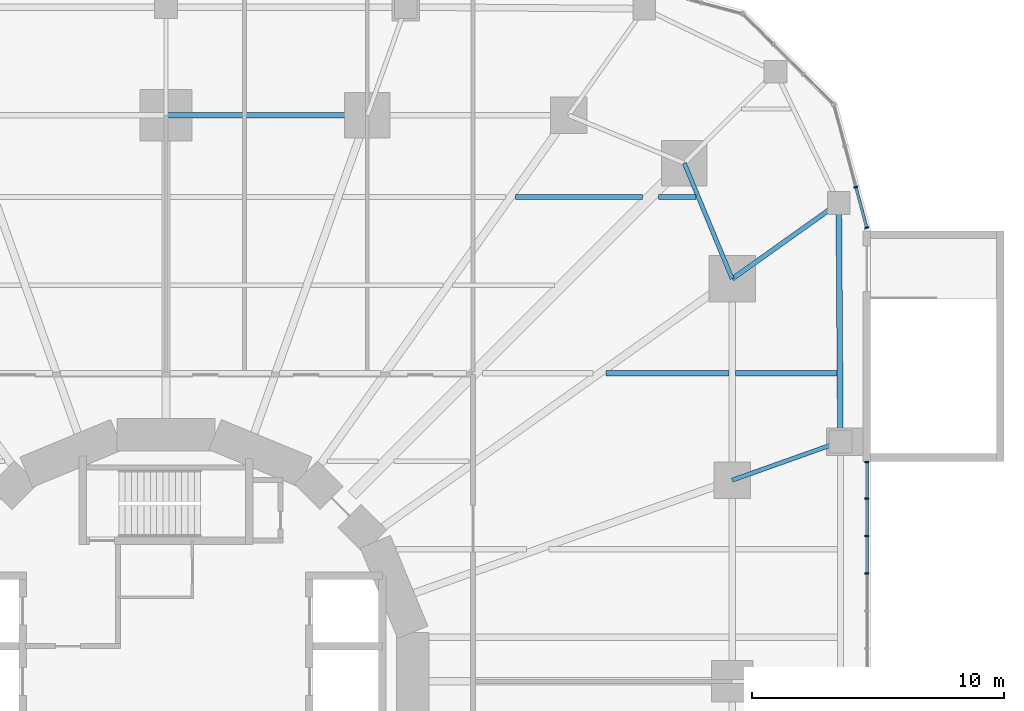
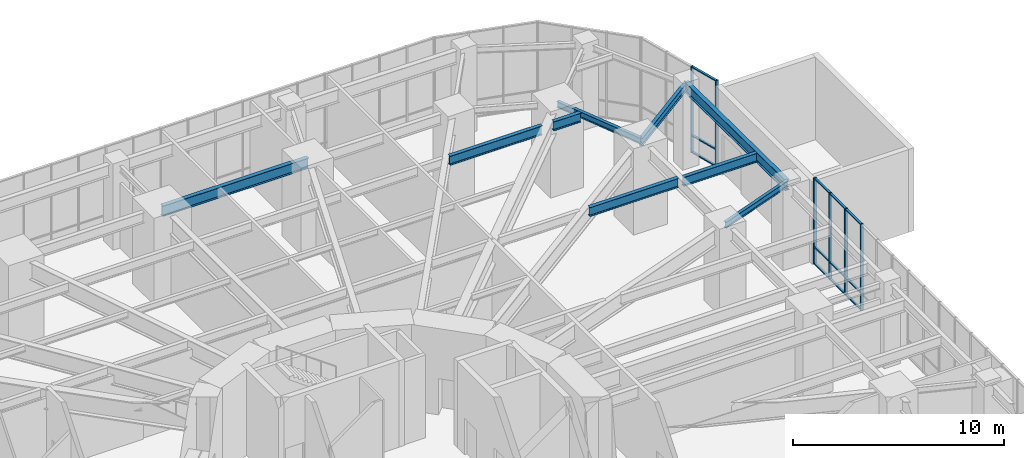
# One storey, part 14 of 24: 18 members, 9 beams, 2 elements without a shape of their own.
"""IFC4 building model written with IfcOpenShell, lengths in metres."""

import ifcopenshell
import ifcopenshell.guid

model = None  # the IFC model being written
_history = None  # IfcOwnerHistory: only IFC2X3 demands one
_inside = {}  # id of a spatial element -> (the spatial element, [elements in it])
_under = {}  # id of a project, library or spatial element -> (it, [spatial elements below it])
_declared = {}  # id of a project -> (the project, [libraries it declares])
_typed = {}  # id of a type object -> (the type object, [elements of that type])
_made_of = {}  # id of a material, layer set ... -> (it, [elements and type objects made of it])


def new_model(schema):
    """Start an empty IFC model of exactly this schema.

    Asked for "IFC4X3", IfcOpenShell would pick the latest addendum, in which some entities
    have other attributes; the version numbers below select the first issue.
    IFC2X3 requires an IfcOwnerHistory on every rooted entity: one is made here for all.
    """
    global model, _history
    if schema == "IFC4X3":
        model = ifcopenshell.file(schema_version=(4, 3, 0, 0))
    else:
        model = ifcopenshell.file(schema=schema)
    _inside.clear()
    _under.clear()
    _declared.clear()
    _typed.clear()
    _made_of.clear()
    _history = None
    if model.schema == "IFC2X3":
        org = make("IfcOrganization", Name="unknown")
        user = make(
            "IfcPersonAndOrganization",
            ThePerson=make("IfcPerson", FamilyName="unknown"),
            TheOrganization=org,
        )
        app = make(
            "IfcApplication",
            ApplicationDeveloper=org,
            Version="unknown",
            ApplicationFullName="unknown",
            ApplicationIdentifier="unknown",
        )
        _history = make(
            "IfcOwnerHistory",
            OwningUser=user,
            OwningApplication=app,
            ChangeAction="ADDED",
            CreationDate=0,
        )
    return model


def make(cls, **values):
    """One entity of the class cls with the attributes given. An attribute that is None is left unset."""
    return model.create_entity(
        cls, **{name: value for name, value in values.items() if value is not None}
    )


def rooted(cls, **values):
    """An entity with a GlobalId (a new one), such as an element, a storey or a relation."""
    return make(cls, GlobalId=ifcopenshell.guid.new(), OwnerHistory=_history, **values)


def si_unit(unit_type, name, prefix=None):
    """IfcSIUnit, for example si_unit("LENGTHUNIT", "METRE", prefix="MILLI")."""
    return make("IfcSIUnit", UnitType=unit_type, Prefix=prefix, Name=name)


def assignment(units):
    """IfcUnitAssignment: the units of a project."""
    return None if units is None else make("IfcUnitAssignment", Units=units)


def point(xyz):
    """IfcCartesianPoint."""
    return None if xyz is None else make("IfcCartesianPoint", Coordinates=xyz)


def direction(xyz):
    """IfcDirection."""
    return None if xyz is None else make("IfcDirection", DirectionRatios=xyz)


def frame(location, z_axis=None, x_axis=None):
    """IfcAxis2Placement3D, a coordinate frame: its origin and axes. An axis left out is left unset."""
    return make(
        "IfcAxis2Placement3D",
        Location=point(location),
        Axis=direction(z_axis),
        RefDirection=direction(x_axis),
    )


def frame_2d(location, x_axis=None):
    """IfcAxis2Placement2D, a coordinate frame in the plane: its origin and x axis."""
    return make(
        "IfcAxis2Placement2D", Location=point(location), RefDirection=direction(x_axis)
    )


def origin():
    """The frame at (0, 0, 0) with its axes left unset."""
    return frame((0.0, 0.0, 0.0))


def origin_2d():
    """The frame at (0, 0) in the plane with its x axis left unset."""
    return frame_2d((0.0, 0.0))


def place(relative_to, where):
    """IfcLocalPlacement: puts the frame where relative to a parent placement (None: the world)."""
    return make(
        "IfcLocalPlacement", PlacementRelTo=relative_to, RelativePlacement=where
    )


def context(
    kind, dimensions, precision=None, world=None, true_north=None, identifier=None
):
    """IfcGeometricRepresentationContext, for example the 3D "Model" context."""
    return make(
        "IfcGeometricRepresentationContext",
        ContextIdentifier=identifier,
        ContextType=kind,
        CoordinateSpaceDimension=dimensions,
        Precision=precision,
        WorldCoordinateSystem=world,
        TrueNorth=true_north,
    )


def subcontext(parent, identifier, kind, view, scale=None):
    """IfcGeometricRepresentationSubContext, for example "Body" below "Model"."""
    return make(
        "IfcGeometricRepresentationSubContext",
        ContextIdentifier=identifier,
        ContextType=kind,
        ParentContext=parent,
        TargetScale=scale,
        TargetView=view,
    )


def project(units=None, contexts=None):
    """IfcProject with its units and contexts."""
    return rooted(
        "IfcProject",
        Name="project",
        RepresentationContexts=contexts,
        UnitsInContext=assignment(units),
    )


def spatial(cls, under=None, at=None, **own):
    """A site, building, storey or space (cls), placed at a placement, below another one or the project."""
    s = rooted(cls, ObjectPlacement=at, **own)
    if under is not None:
        _under.setdefault(under.id(), (under, []))[1].append(s)
    return s


def profile(cls, at=None, kind="AREA", **sizes):
    """A parametric profile (cls). Its sizes go by their IFC names, for example OverallWidth=200.0."""
    return make(cls, ProfileType=kind, Position=at, **sizes)


def rectangle(**sizes):
    """IfcRectangleProfileDef."""
    return profile("IfcRectangleProfileDef", **sizes)


def i_section(**sizes):
    """IfcIShapeProfileDef."""
    return profile("IfcIShapeProfileDef", **sizes)


def extrude(swept, where, along, depth):
    """IfcExtrudedAreaSolid: the profile swept, set in the frame where, extruded along a direction by depth."""
    return make(
        "IfcExtrudedAreaSolid",
        SweptArea=swept,
        Position=where,
        ExtrudedDirection=direction(along),
        Depth=depth,
    )


def shape(context_of_items, identifier, shape_type, items):
    """IfcShapeRepresentation: the items that make up one representation, for example the "Body"."""
    return make(
        "IfcShapeRepresentation",
        ContextOfItems=context_of_items,
        RepresentationIdentifier=identifier,
        RepresentationType=shape_type,
        Items=items,
    )


def material(Name=None, Category=None):
    """IfcMaterial."""
    return make("IfcMaterial", Name=Name, Category=Category)


def material_profile(
    of_material, cross_section, Name=None, Category=None, Priority=None
):
    """IfcMaterialProfile: a cross section and its material."""
    return make(
        "IfcMaterialProfile",
        Name=Name,
        Material=of_material,
        Profile=cross_section,
        Priority=Priority,
        Category=Category,
    )


def profile_set(profiles, Name=None, composite=None):
    """IfcMaterialProfileSet."""
    return make(
        "IfcMaterialProfileSet",
        Name=Name,
        MaterialProfiles=profiles,
        CompositeProfile=composite,
    )


def made_of(thing, what):
    """Note that an element or type object is made of a material, layer set ...; save() writes the relation."""
    if what is not None:
        _made_of.setdefault(what.id(), (what, []))[1].append(thing)
    return thing


def type_object(cls, material=None, **own):
    """A type object (cls), such as IfcWallType, which elements share."""
    return made_of(rooted(cls, **own), material)


def element(
    cls,
    number,
    at=None,
    inside=None,
    cuts=None,
    type_object=None,
    material=None,
    context=None,
    identifier="Body",
    shape_type=None,
    held_by="IfcProductDefinitionShape",
    body=None,
    shapes=None,
    **own,
):
    """One element of the class cls, such as IfcWall. Its Tag is "e" and its number.

    at: its placement. inside: the storey or other place that contains it. cuts: it is an
    opening in that element (IfcRelVoidsElement). A single representation is given by context,
    identifier, shape_type and body (its items); several are given by shapes. held_by: the class
    of the entity that holds the representations. save() writes the other relations.
    """
    e = rooted(cls, Tag="e%d" % number, ObjectPlacement=at, **own)
    if body is not None:
        shapes = [shape(context, identifier, shape_type, body)]
    if shapes is not None:
        e.Representation = make(held_by, Representations=shapes)
    if inside is not None:
        _inside.setdefault(inside.id(), (inside, []))[1].append(e)
    if cuts is not None:
        rooted(
            "IfcRelVoidsElement", RelatingBuildingElement=cuts, RelatedOpeningElement=e
        )
    if type_object is not None:
        _typed.setdefault(type_object.id(), (type_object, []))[1].append(e)
    return made_of(e, material)


def aggregate(whole, parts):
    """IfcRelAggregates: a whole, such as a stair, and the parts it consists of."""
    return rooted("IfcRelAggregates", RelatingObject=whole, RelatedObjects=parts)


def save(model, path):
    """Write the relations noted so far, then the file.

    IfcRelAggregates (storeys below a building ...), IfcRelContainedInSpatialStructure (elements
    in a storey), IfcRelDefinesByType, IfcRelAssociatesMaterial and IfcRelDeclares: one each for
    every whole, place, type object, material and project.
    """
    for whole, parts in _under.values():
        aggregate(whole, parts)
    for where, things in _inside.values():
        rooted(
            "IfcRelContainedInSpatialStructure",
            RelatedElements=things,
            RelatingStructure=where,
        )
    for kind, things in _typed.values():
        rooted("IfcRelDefinesByType", RelatedObjects=things, RelatingType=kind)
    for what, things in _made_of.values():
        rooted("IfcRelAssociatesMaterial", RelatedObjects=things, RelatingMaterial=what)
    for by, libraries in _declared.values():
        rooted("IfcRelDeclares", RelatingContext=by, RelatedDefinitions=libraries)
    model.write(path)


model = new_model("IFC4")

# Units and contexts
model_context = context("Model", 3, precision=1e-05, world=origin(), true_north=direction((0.0, 1.0)))
body_context = subcontext(model_context, "Body", "Model", "MODEL_VIEW")
ifc_project = project(units=[si_unit("LENGTHUNIT", "METRE"), si_unit("AREAUNIT", "SQUARE_METRE"), si_unit("VOLUMEUNIT", "CUBIC_METRE"), si_unit("PLANEANGLEUNIT", "RADIAN"), si_unit("MASSUNIT", "GRAM", prefix="KILO")], contexts=[model_context])

# Site, building, storey
site_placement = place(None, origin())
site = spatial("IfcSite", under=ifc_project, at=site_placement, CompositionType="ELEMENT")
building_placement = place(site_placement, origin())
building = spatial("IfcBuilding", under=site, at=building_placement, Name="Nakasero Lantern House", CompositionType="ELEMENT")
storey_placement = place(building_placement, frame((0.0, 0.0, 11.0)))
storey = spatial("IfcBuildingStorey", under=building, at=storey_placement, Name="L02", CompositionType="ELEMENT", Elevation=11.0)

# Beams
ifc_material_1 = material(Name="Steel S355", Category="steel")
ifc_material_profile_1 = material_profile(ifc_material_1, i_section(OverallWidth=0.2099609375, OverallDepth=0.53662109375, WebThickness=0.0107421875, FlangeThickness=0.017333984375, FilletRadius=0.0126953125, at=origin_2d()), Name="UB 533x210x101")
ifc_profile_set_1 = profile_set([ifc_material_profile_1], Name="Steel S355")
beam_type_1 = type_object("IfcBeamType", Name="Infill beam UB 533x210x101", PredefinedType="JOIST", material=ifc_profile_set_1)
beam_1_placement = place(storey_placement, frame((13.878173828125, 19.25, 4.53173828125), z_axis=(1.0, 0.0, 0.0), x_axis=(0.0, 1.0, 0.0)))
element("IfcBeam", 1, at=beam_1_placement, inside=storey, type_object=beam_type_1, Name="Infill beam L03 14.7", PredefinedType="JOIST", context=body_context, shape_type="SweptSolid", body=[
    extrude(i_section(OverallWidth=0.2099609375, OverallDepth=0.53662109375, WebThickness=0.0107421875, FlangeThickness=0.017333984375, FilletRadius=0.0126953125, at=origin_2d()), origin(), (0.0, 0.0, 1.0), 5.0537109375),
])
beam_2_placement = place(storey_placement, frame((19.568115234375, 19.25, 4.53173828125), z_axis=(1.0, 0.0, 0.0), x_axis=(0.0, 1.0, 0.0)))
element("IfcBeam", 2, at=beam_2_placement, inside=storey, type_object=beam_type_1, Name="Infill beam L03 14.8", PredefinedType="JOIST", context=body_context, shape_type="SweptSolid", body=[
    extrude(i_section(OverallWidth=0.2099609375, OverallDepth=0.53662109375, WebThickness=0.0107421875, FlangeThickness=0.017333984375, FilletRadius=0.0126953125, at=origin_2d()), origin(), (0.0, 0.0, 1.0), 1.492919921875),
])
ifc_material_2 = material(Name="Steel S355", Category="steel")
ifc_material_profile_2 = material_profile(ifc_material_2, i_section(OverallWidth=0.208740234375, OverallDepth=0.5283203125, WebThickness=0.009521484375, FlangeThickness=0.01318359375, FilletRadius=0.0126953125, at=origin_2d()), Name="UB 533x210x82")
ifc_profile_set_2 = profile_set([ifc_material_profile_2], Name="Steel S355")
beam_type_2 = type_object("IfcBeamType", Name="Infill beam UB 533x210x82", PredefinedType="JOIST", material=ifc_profile_set_2)
beam_3_placement = place(storey_placement, frame((17.49267578125, 12.25, 4.535888671875), z_axis=(1.0, 0.0, 0.0), x_axis=(0.0, 1.0, 0.0)))
element("IfcBeam", 3, at=beam_3_placement, inside=storey, type_object=beam_type_2, Name="Infill beam L03 12.11", PredefinedType="JOIST", context=body_context, shape_type="SweptSolid", body=[
    extrude(i_section(OverallWidth=0.208740234375, OverallDepth=0.5283203125, WebThickness=0.009521484375, FlangeThickness=0.01318359375, FilletRadius=0.0126953125, at=origin_2d()), origin(), (0.0, 0.0, 1.0), 4.8740234375),
])
beam_4_placement = place(storey_placement, frame((22.63330078125, 12.25, 4.48583984375), z_axis=(1.0, 0.0, 0.0), x_axis=(0.0, 1.0, 0.0)))
element("IfcBeam", 4, at=beam_4_placement, inside=storey, type_object=beam_type_2, Name="Infill beam L03 12.12", PredefinedType="JOIST", context=body_context, shape_type="SweptSolid", body=[
    extrude(i_section(OverallWidth=0.208740234375, OverallDepth=0.5283203125, WebThickness=0.009521484375, FlangeThickness=0.01318359375, FilletRadius=0.0126953125, at=origin_2d()), origin(), (0.0, 0.0, 1.0), 4.033203125),
])

# Curtain wall, members
ifc_material_3 = material(Name="Aluminium 6063-T6 and glass", Category="aluminium")
curtain_wall_type = type_object("IfcCurtainWallType", Name="Podium curtain wall CW-2", PredefinedType="USERDEFINED", material=ifc_material_3)
curtain_wall_1_placement = place(storey_placement, origin())
curtain_wall_1 = element("IfcCurtainWall", 5, at=curtain_wall_1_placement, inside=storey, type_object=curtain_wall_type, Name="Curtain wall CW-2 L02", ObjectType="STICK CURTAIN WALL", PredefinedType="USERDEFINED")
ifc_material_4 = material(Name="Aluminium 6063-T6", Category="aluminium")
ifc_material_profile_3 = material_profile(ifc_material_4, rectangle(XDim=0.06005859375, YDim=0.159912109375, at=origin_2d()), Name="CW-2 mullion 60x160")
ifc_profile_set_3 = profile_set([ifc_material_profile_3], Name="Aluminium 6063-T6")
member_type_1 = type_object("IfcMemberType", Name="Mullion CW-2", PredefinedType="MULLION", material=ifc_profile_set_3)
member_1_placement = place(storey_placement, frame((27.85009765625, 4.291748046875, 0.0), z_axis=(0.0, 0.0, 1.0), x_axis=(0.0, 1.0, 0.0)))
member_1 = element("IfcMember", 6, at=member_1_placement, type_object=member_type_1, Name="CW-2 mullion 16", PredefinedType="MULLION", context=body_context, shape_type="SweptSolid", body=[
    extrude(rectangle(XDim=0.06005859375, YDim=0.159912109375, at=origin_2d()), origin(), (0.0, 0.0, 1.0), 5.0),
])
member_2_placement = place(storey_placement, frame((27.85009765625, 5.77783203125, 0.0), z_axis=(0.0, 0.0, 1.0), x_axis=(0.0, 1.0, 0.0)))
member_2 = element("IfcMember", 7, at=member_2_placement, type_object=member_type_1, Name="CW-2 mullion 17", PredefinedType="MULLION", context=body_context, shape_type="SweptSolid", body=[
    extrude(rectangle(XDim=0.06005859375, YDim=0.159912109375, at=origin_2d()), origin(), (0.0, 0.0, 1.0), 5.0),
])
member_3_placement = place(storey_placement, frame((27.85009765625, 7.263916015625, 0.0), z_axis=(0.0, 0.0, 1.0), x_axis=(0.0, 1.0, 0.0)))
member_3 = element("IfcMember", 8, at=member_3_placement, type_object=member_type_1, Name="CW-2 mullion 18", PredefinedType="MULLION", context=body_context, shape_type="SweptSolid", body=[
    extrude(rectangle(XDim=0.06005859375, YDim=0.159912109375, at=origin_2d()), origin(), (0.0, 0.0, 1.0), 5.0),
])
member_4_placement = place(storey_placement, frame((27.85009765625, 8.719970703125, 0.0), z_axis=(0.0, 0.0, 1.0), x_axis=(0.0, 1.0, 0.0)))
member_4 = element("IfcMember", 9, at=member_4_placement, type_object=member_type_1, Name="CW-2 mullion 19", PredefinedType="MULLION", context=body_context, shape_type="SweptSolid", body=[
    extrude(rectangle(XDim=0.06005859375, YDim=0.159912109375, at=origin_2d()), origin(), (0.0, 0.0, 1.0), 5.0),
])

curtain_wall_2_placement = place(storey_placement, origin())
curtain_wall_2 = element("IfcCurtainWall", 10, at=curtain_wall_2_placement, inside=storey, type_object=curtain_wall_type, Name="Curtain wall CW-2 L02", ObjectType="STICK CURTAIN WALL", PredefinedType="USERDEFINED")
member_5_placement = place(storey_placement, frame((27.84228515625, 18.029052734375, 0.0), z_axis=(0.0, 0.0, 1.0), x_axis=(-0.258819045103, 0.965925826289, 0.0)))
member_5 = element("IfcMember", 11, at=member_5_placement, type_object=member_type_1, Name="CW-2 mullion 1", PredefinedType="MULLION", context=body_context, shape_type="SweptSolid", body=[
    extrude(rectangle(XDim=0.06005859375, YDim=0.159912109375, at=origin_2d()), origin(), (0.0, 0.0, 1.0), 5.0),
])
member_6_placement = place(storey_placement, frame((27.41015625, 19.6416015625, 0.0), z_axis=(0.0, 0.0, 1.0), x_axis=(-0.258819045103, 0.965925826289, 0.0)))
member_6 = element("IfcMember", 12, at=member_6_placement, type_object=member_type_1, Name="CW-2 mullion 2", PredefinedType="MULLION", context=body_context, shape_type="SweptSolid", body=[
    extrude(rectangle(XDim=0.06005859375, YDim=0.159912109375, at=origin_2d()), origin(), (0.0, 0.0, 1.0), 5.0),
])

# Beams
ifc_material_5 = material(Name="Steel S355", Category="steel")
ifc_material_profile_4 = material_profile(ifc_material_5, i_section(OverallWidth=0.17138671875, OverallDepth=0.35498046875, WebThickness=0.00732421875, FlangeThickness=0.011474609375, FilletRadius=0.01025390625, at=origin_2d()), Name="UB 356x171x51")
ifc_profile_set_4 = profile_set([ifc_material_profile_4], Name="Steel S355")
beam_type_3 = type_object("IfcBeamType", Name="Primary beam UB 356x171x51, span to 6 m", PredefinedType="BEAM", material=ifc_profile_set_4)
beam_5_placement = place(storey_placement, frame((26.800048828125, 9.52880859375, 4.572509765625), z_axis=(-0.942221444489, -0.334990670833, 0.0), x_axis=(0.334990670833, -0.942221444489, 0.0)))
element("IfcBeam", 13, at=beam_5_placement, inside=storey, type_object=beam_type_3, Name="Primary beam L03 POD-C04", PredefinedType="BEAM", context=body_context, shape_type="SweptSolid", body=[
    extrude(i_section(OverallWidth=0.17138671875, OverallDepth=0.35498046875, WebThickness=0.00732421875, FlangeThickness=0.011474609375, FilletRadius=0.01025390625, at=origin_2d()), origin(), (0.0, 0.0, 1.0), 4.563720703125),
])
ifc_material_6 = material(Name="Steel S355", Category="steel")
ifc_material_profile_5 = material_profile(ifc_material_6, i_section(OverallWidth=0.18994140625, OverallDepth=0.453369140625, WebThickness=0.008544921875, FlangeThickness=0.0126953125, FilletRadius=0.01025390625, at=origin_2d()), Name="UB 457x191x67")
ifc_profile_set_5 = profile_set([ifc_material_profile_5], Name="Steel S355")
beam_type_4 = type_object("IfcBeamType", Name="Primary beam UB 457x191x67, span to 6 m", PredefinedType="BEAM", material=ifc_profile_set_5)
beam_6_placement = place(storey_placement, frame((26.733642578125, 19.0107421875, 4.523193359375), z_axis=(-0.814941514044, -0.57954320692, 0.0), x_axis=(0.57954320692, -0.814941514044, 0.0)))
element("IfcBeam", 14, at=beam_6_placement, inside=storey, type_object=beam_type_4, Name="Primary beam L03 POD-C05", PredefinedType="BEAM", context=body_context, shape_type="SweptSolid", body=[
    extrude(i_section(OverallWidth=0.18994140625, OverallDepth=0.453369140625, WebThickness=0.008544921875, FlangeThickness=0.0126953125, FilletRadius=0.01025390625, at=origin_2d()), origin(), (0.0, 0.0, 1.0), 5.195068359375),
])
ifc_material_7 = material(Name="Steel S355", Category="steel")
ifc_material_profile_6 = material_profile(ifc_material_7, i_section(OverallWidth=0.17138671875, OverallDepth=0.35498046875, WebThickness=0.00732421875, FlangeThickness=0.011474609375, FilletRadius=0.01025390625, at=origin_2d()), Name="UB 356x171x51")
ifc_profile_set_6 = profile_set([ifc_material_profile_6], Name="Steel S355")
beam_type_5 = type_object("IfcBeamType", Name="Ring beam UB 356x171x51", PredefinedType="BEAM", material=ifc_profile_set_6)
beam_7_placement = place(storey_placement, frame((22.5, 16.0, 4.62255859375), z_axis=(-0.382684080569, 0.923879264016, 0.0), x_axis=(-0.923879264016, -0.382684080569, 0.0)))
element("IfcBeam", 15, at=beam_7_placement, inside=storey, type_object=beam_type_5, Name="Ring beam L03 B1-C05", PredefinedType="BEAM", context=body_context, shape_type="SweptSolid", body=[
    extrude(i_section(OverallWidth=0.17138671875, OverallDepth=0.35498046875, WebThickness=0.00732421875, FlangeThickness=0.011474609375, FilletRadius=0.01025390625, at=origin_2d()), origin(), (0.0, 0.0, 1.0), 4.974853515625),
])
ifc_material_8 = material(Name="Steel S355", Category="steel")
ifc_material_profile_7 = material_profile(ifc_material_8, i_section(OverallWidth=0.22900390625, OverallDepth=0.6123046875, WebThickness=0.011962890625, FlangeThickness=0.01953125, FilletRadius=0.0126953125, at=origin_2d()), Name="UB 610x229x125")
ifc_profile_set_7 = profile_set([ifc_material_profile_7], Name="Steel S355")
beam_type_6 = type_object("IfcBeamType", Name="Ring beam UB 610x229x125", PredefinedType="BEAM", material=ifc_profile_set_7)
beam_8_placement = place(storey_placement, frame((8.0, 22.5, 4.493896484375), z_axis=(-1.0, 0.0, 0.0), x_axis=(0.0, -1.0, 0.0)))
element("IfcBeam", 16, at=beam_8_placement, inside=storey, type_object=beam_type_6, Name="Ring beam L03 B1-C08", PredefinedType="BEAM", context=body_context, shape_type="SweptSolid", body=[
    extrude(i_section(OverallWidth=0.22900390625, OverallDepth=0.6123046875, WebThickness=0.011962890625, FlangeThickness=0.01953125, FilletRadius=0.0126953125, at=origin_2d()), origin(), (0.0, 0.0, 1.0), 8.0),
])
beam_9_placement = place(storey_placement, frame((26.800048828125, 9.52880859375, 4.44384765625), z_axis=(-0.007003278482, 0.999975476745, 0.0), x_axis=(-0.999975476745, -0.007003278482, 0.0)))
element("IfcBeam", 17, at=beam_9_placement, inside=storey, type_object=beam_type_6, Name="Ring beam L03 POD-C04", PredefinedType="BEAM", context=body_context, shape_type="SweptSolid", body=[
    extrude(i_section(OverallWidth=0.22900390625, OverallDepth=0.6123046875, WebThickness=0.011962890625, FlangeThickness=0.01953125, FilletRadius=0.0126953125, at=origin_2d()), origin(), (0.0, 0.0, 1.0), 9.482177734375),
])

# Member
ifc_material_9 = material(Name="Aluminium 6063-T6", Category="aluminium")
ifc_material_profile_8 = material_profile(ifc_material_9, rectangle(XDim=0.06005859375, YDim=0.1201171875, at=origin_2d()), Name="CW-2 transom 60x120")
ifc_profile_set_8 = profile_set([ifc_material_profile_8], Name="Aluminium 6063-T6")
member_type_2 = type_object("IfcMemberType", Name="Transom CW-2", PredefinedType="USERDEFINED", material=ifc_profile_set_8)
member_7_placement = place(storey_placement, frame((27.85009765625, 4.32177734375, 0.030029296875), z_axis=(0.0, 1.0, 0.0), x_axis=(0.0, 0.0, 1.0)))
member_7 = element("IfcMember", 18, at=member_7_placement, type_object=member_type_2, Name="CW-2 transom 16.1", ObjectType="TRANSOM", PredefinedType="USERDEFINED", context=body_context, shape_type="SweptSolid", body=[
    extrude(rectangle(XDim=0.06005859375, YDim=0.1201171875, at=origin_2d()), origin(), (0.0, 0.0, 1.0), 1.426025390625),
])

member_8_placement = place(storey_placement, frame((27.85009765625, 4.32177734375, 1.0), z_axis=(0.0, 1.0, 0.0), x_axis=(0.0, 0.0, 1.0)))
member_8 = element("IfcMember", 19, at=member_8_placement, type_object=member_type_2, Name="CW-2 transom 16.2", ObjectType="TRANSOM", PredefinedType="USERDEFINED", context=body_context, shape_type="SweptSolid", body=[
    extrude(rectangle(XDim=0.06005859375, YDim=0.1201171875, at=origin_2d()), origin(), (0.0, 0.0, 1.0), 1.426025390625),
])

member_9_placement = place(storey_placement, frame((27.85009765625, 4.32177734375, 4.969970703125), z_axis=(0.0, 1.0, 0.0), x_axis=(0.0, 0.0, 1.0)))
member_9 = element("IfcMember", 20, at=member_9_placement, type_object=member_type_2, Name="CW-2 transom 16.3", ObjectType="TRANSOM", PredefinedType="USERDEFINED", context=body_context, shape_type="SweptSolid", body=[
    extrude(rectangle(XDim=0.06005859375, YDim=0.1201171875, at=origin_2d()), origin(), (0.0, 0.0, 1.0), 1.426025390625),
])

member_10_placement = place(storey_placement, frame((27.85009765625, 5.807861328125, 0.030029296875), z_axis=(0.0, 1.0, 0.0), x_axis=(0.0, 0.0, 1.0)))
member_10 = element("IfcMember", 21, at=member_10_placement, type_object=member_type_2, Name="CW-2 transom 17.1", ObjectType="TRANSOM", PredefinedType="USERDEFINED", context=body_context, shape_type="SweptSolid", body=[
    extrude(rectangle(XDim=0.06005859375, YDim=0.1201171875, at=origin_2d()), origin(), (0.0, 0.0, 1.0), 1.426025390625),
])

member_11_placement = place(storey_placement, frame((27.85009765625, 5.807861328125, 1.0), z_axis=(0.0, 1.0, 0.0), x_axis=(0.0, 0.0, 1.0)))
member_11 = element("IfcMember", 22, at=member_11_placement, type_object=member_type_2, Name="CW-2 transom 17.2", ObjectType="TRANSOM", PredefinedType="USERDEFINED", context=body_context, shape_type="SweptSolid", body=[
    extrude(rectangle(XDim=0.06005859375, YDim=0.1201171875, at=origin_2d()), origin(), (0.0, 0.0, 1.0), 1.426025390625),
])

member_12_placement = place(storey_placement, frame((27.85009765625, 5.807861328125, 4.969970703125), z_axis=(0.0, 1.0, 0.0), x_axis=(0.0, 0.0, 1.0)))
member_12 = element("IfcMember", 23, at=member_12_placement, type_object=member_type_2, Name="CW-2 transom 17.3", ObjectType="TRANSOM", PredefinedType="USERDEFINED", context=body_context, shape_type="SweptSolid", body=[
    extrude(rectangle(XDim=0.06005859375, YDim=0.1201171875, at=origin_2d()), origin(), (0.0, 0.0, 1.0), 1.426025390625),
])

member_13_placement = place(storey_placement, frame((27.85009765625, 7.2939453125, 0.030029296875), z_axis=(0.0, 1.0, 0.0), x_axis=(0.0, 0.0, 1.0)))
member_13 = element("IfcMember", 24, at=member_13_placement, type_object=member_type_2, Name="CW-2 transom 18.1", ObjectType="TRANSOM", PredefinedType="USERDEFINED", context=body_context, shape_type="SweptSolid", body=[
    extrude(rectangle(XDim=0.06005859375, YDim=0.1201171875, at=origin_2d()), origin(), (0.0, 0.0, 1.0), 1.39599609375),
])

member_14_placement = place(storey_placement, frame((27.85009765625, 7.2939453125, 1.0), z_axis=(0.0, 1.0, 0.0), x_axis=(0.0, 0.0, 1.0)))
member_14 = element("IfcMember", 25, at=member_14_placement, type_object=member_type_2, Name="CW-2 transom 18.2", ObjectType="TRANSOM", PredefinedType="USERDEFINED", context=body_context, shape_type="SweptSolid", body=[
    extrude(rectangle(XDim=0.06005859375, YDim=0.1201171875, at=origin_2d()), origin(), (0.0, 0.0, 1.0), 1.39599609375),
])

member_15_placement = place(storey_placement, frame((27.85009765625, 7.2939453125, 4.969970703125), z_axis=(0.0, 1.0, 0.0), x_axis=(0.0, 0.0, 1.0)))
member_15 = element("IfcMember", 26, at=member_15_placement, type_object=member_type_2, Name="CW-2 transom 18.3", ObjectType="TRANSOM", PredefinedType="USERDEFINED", context=body_context, shape_type="SweptSolid", body=[
    extrude(rectangle(XDim=0.06005859375, YDim=0.1201171875, at=origin_2d()), origin(), (0.0, 0.0, 1.0), 1.39599609375),
])

aggregate(curtain_wall_1, [member_1, member_2, member_3, member_4, member_7, member_8, member_9, member_10, member_11, member_12, member_13, member_14, member_15])

member_16_placement = place(storey_placement, frame((27.83447265625, 18.057861328125, 0.030029296875), z_axis=(-0.258738612203, 0.96594737463, 0.0), x_axis=(0.0, 0.0, 1.0)))
member_16 = element("IfcMember", 27, at=member_16_placement, type_object=member_type_2, Name="CW-2 transom 1.1", ObjectType="TRANSOM", PredefinedType="USERDEFINED", context=body_context, shape_type="SweptSolid", body=[
    extrude(rectangle(XDim=0.06005859375, YDim=0.1201171875, at=origin_2d()), origin(), (0.0, 0.0, 1.0), 1.60986328125),
])

member_17_placement = place(storey_placement, frame((27.83447265625, 18.057861328125, 1.0), z_axis=(-0.258738612203, 0.96594737463, 0.0), x_axis=(0.0, 0.0, 1.0)))
member_17 = element("IfcMember", 28, at=member_17_placement, type_object=member_type_2, Name="CW-2 transom 1.2", ObjectType="TRANSOM", PredefinedType="USERDEFINED", context=body_context, shape_type="SweptSolid", body=[
    extrude(rectangle(XDim=0.06005859375, YDim=0.1201171875, at=origin_2d()), origin(), (0.0, 0.0, 1.0), 1.60986328125),
])

member_18_placement = place(storey_placement, frame((27.83447265625, 18.057861328125, 4.969970703125), z_axis=(-0.258738612203, 0.96594737463, 0.0), x_axis=(0.0, 0.0, 1.0)))
member_18 = element("IfcMember", 29, at=member_18_placement, type_object=member_type_2, Name="CW-2 transom 1.3", ObjectType="TRANSOM", PredefinedType="USERDEFINED", context=body_context, shape_type="SweptSolid", body=[
    extrude(rectangle(XDim=0.06005859375, YDim=0.1201171875, at=origin_2d()), origin(), (0.0, 0.0, 1.0), 1.60986328125),
])

aggregate(curtain_wall_2, [member_5, member_6, member_16, member_17, member_18])

save(model, "model.ifc")
